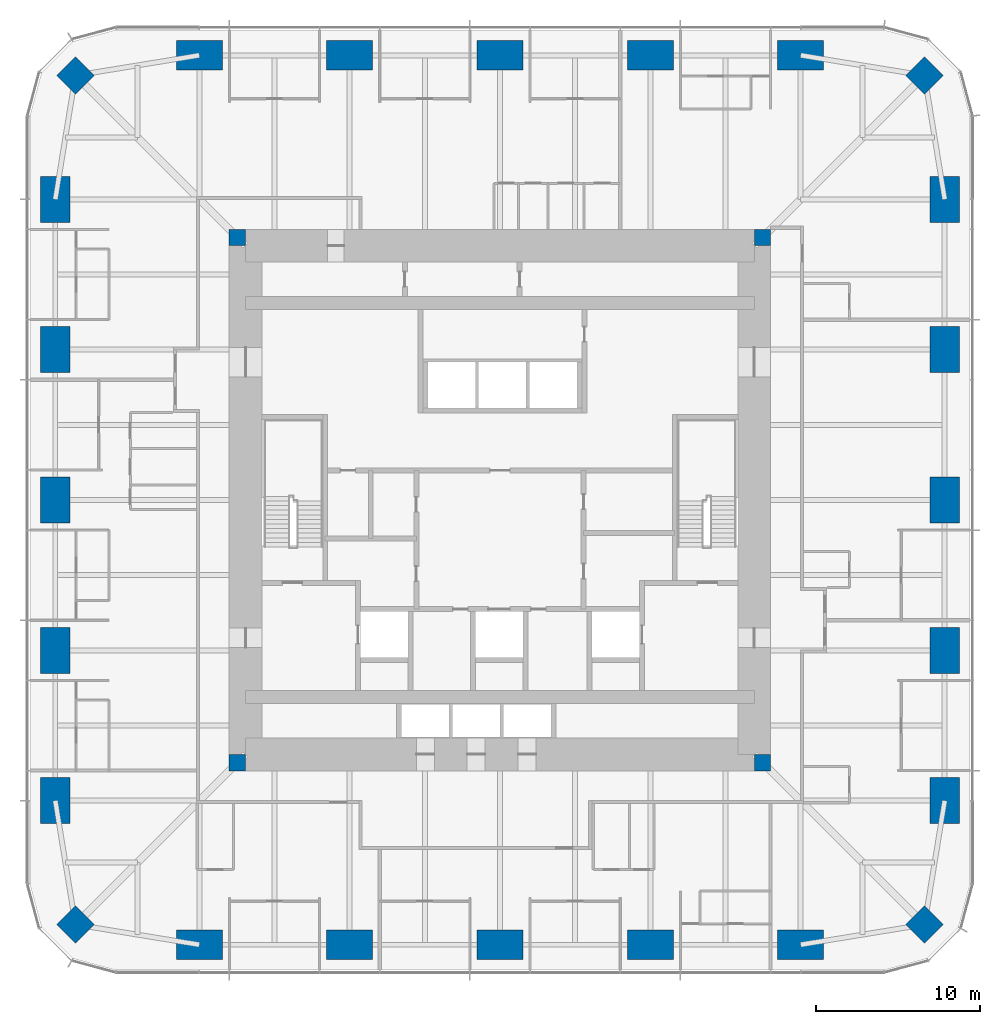
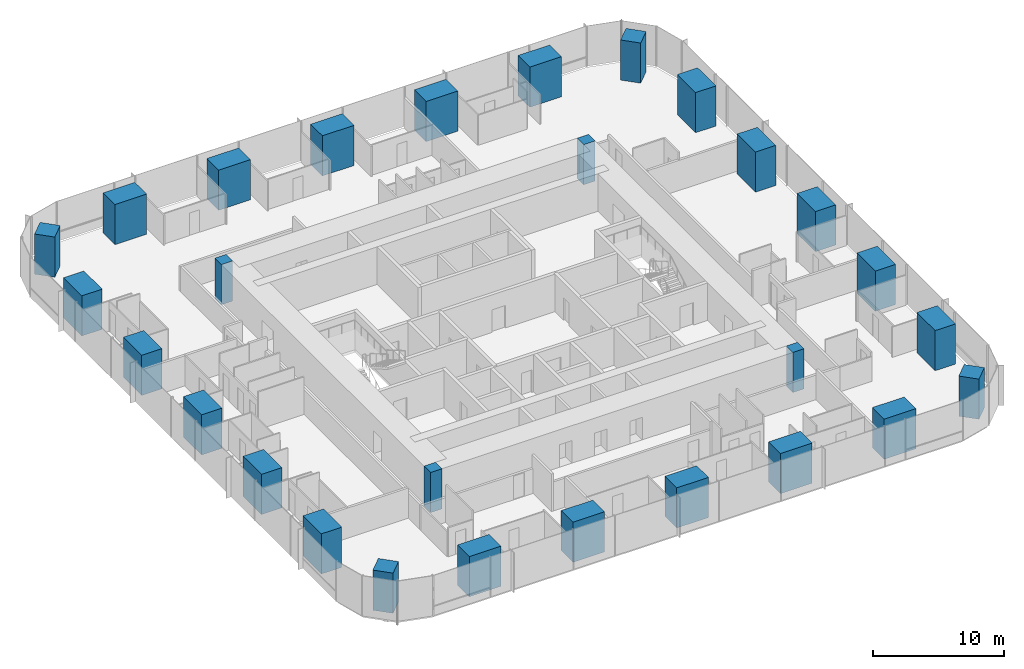
# One storey, part 1 of 13: 28 columns.
"""IFC4 building model written with IfcOpenShell, lengths in metres."""

from ifc_helpers import new_model, si_unit, direction, frame, origin, origin_2d, place, context, subcontext, project, spatial, rectangle, extrude, material, material_profile, profile_set, type_object, element, save


model = new_model("IFC4")

# Units and contexts
model_context = context("Model", 3, precision=1e-05, world=origin(), true_north=direction((0.0, 1.0)))
body_context = subcontext(model_context, "Body", "Model", "MODEL_VIEW")
ifc_project = project(units=[si_unit("LENGTHUNIT", "METRE"), si_unit("AREAUNIT", "SQUARE_METRE"), si_unit("VOLUMEUNIT", "CUBIC_METRE"), si_unit("PLANEANGLEUNIT", "RADIAN"), si_unit("MASSUNIT", "GRAM", prefix="KILO")], contexts=[model_context])

# Site, building, storey
site_placement = place(None, origin())
site = spatial("IfcSite", under=ifc_project, at=site_placement, CompositionType="ELEMENT")
building_placement = place(site_placement, origin())
building = spatial("IfcBuilding", under=site, at=building_placement, Name="Khuree Lantern Residences", CompositionType="ELEMENT")
storey_placement = place(building_placement, frame((0.0, 0.0, 148.5)))
storey = spatial("IfcBuildingStorey", under=building, at=storey_placement, Name="L37", CompositionType="ELEMENT", Elevation=148.5)

# Columns
ifc_material = material(Name="Concrete C70/85", Category="concrete")
ifc_material_profile_1 = material_profile(ifc_material, rectangle(XDim=1.60009765625, YDim=1.60009765625, at=origin_2d()), Name="RC 1600X1600")
ifc_profile_set_1 = profile_set([ifc_material_profile_1], Name="Concrete C70/85")
column_type_1 = type_object("IfcColumnType", Name="CC1600A PERIMETER CORNER COLUMN RC 1600X1600", PredefinedType="COLUMN", material=ifc_profile_set_1)
for number, where, z_axis, x_axis, name in (
    (1, (25.869873046875, 25.869873046875, 0.0), (0.0, 0.0, 1.0), (0.707106781187, -0.707106781187, 0.0), "Perimeter column NE"),
    (2, (25.869873046875, -25.869873046875, 0.0), (0.0, 0.0, 1.0), (0.707106781187, 0.707106781187, 0.0), "Perimeter column SE"),
    (3, (-25.869873046875, -25.869873046875, 0.0), (0.0, 0.0, 1.0), (0.707106781187, -0.707106781187, 0.0), "Perimeter column SW"),
    (4, (-25.869873046875, 25.869873046875, 0.0), (0.0, 0.0, 1.0), (0.707106781187, 0.707106781187, 0.0), "Perimeter column NW"),
):
    element("IfcColumn", number, at=place(storey_placement, frame(where, z_axis=z_axis, x_axis=x_axis)), inside=storey, type_object=column_type_1, Name=name, PredefinedType="COLUMN", context=body_context, shape_type="SweptSolid", body=[
        extrude(rectangle(XDim=1.60009765625, YDim=1.60009765625, at=origin_2d()), origin(), (0.0, 0.0, 1.0), 3.75),
    ])
ifc_material_profile_2 = material_profile(ifc_material, rectangle(XDim=1.0, YDim=1.0, at=origin_2d()), Name="RC 1000X1000")
ifc_profile_set_2 = profile_set([ifc_material_profile_2], Name="Concrete C70/85")
column_type_2 = type_object("IfcColumnType", Name="CP1000-C70 CORE CORNER PIER C70 RC 1000X1000", PredefinedType="COLUMN", material=ifc_profile_set_2)
for number, where, z_axis, x_axis, name in (
    (5, (16.0, 16.0, -0.25), (0.0, 0.0, 1.0), (1.0, 0.0, 0.0), "Core corner pier NE"),
    (6, (-16.0, 16.0, -0.25), (0.0, 0.0, 1.0), (1.0, 0.0, 0.0), "Core corner pier NW"),
    (7, (-16.0, -16.0, -0.25), (0.0, 0.0, 1.0), (1.0, 0.0, 0.0), "Core corner pier SW"),
    (8, (16.0, -16.0, -0.25), (0.0, 0.0, 1.0), (1.0, 0.0, 0.0), "Core corner pier SE"),
):
    element("IfcColumn", number, at=place(storey_placement, frame(where, z_axis=z_axis, x_axis=x_axis)), inside=storey, type_object=column_type_2, Name=name, PredefinedType="COLUMN", context=body_context, shape_type="SweptSolid", body=[
        extrude(rectangle(XDim=1.0, YDim=1.0, at=origin_2d()), origin(), (0.0, 0.0, 1.0), 3.75),
    ])
ifc_material_profile_3 = material_profile(ifc_material, rectangle(XDim=2.800048828125, YDim=1.800048828125, at=origin_2d()), Name="RC 2800X1800")
ifc_profile_set_3 = profile_set([ifc_material_profile_3], Name="Concrete C70/85")
column_type_3 = type_object("IfcColumnType", Name="PC2 PERIMETER COLUMN RC 2800X1800", PredefinedType="COLUMN", material=ifc_profile_set_3)
for number, where, z_axis, x_axis, name in (
    (9, (-18.320068359375, 27.10009765625, 0.0), (0.0, 0.0, 1.0), (1.0, 0.0, 0.0), "Perimeter column N1"),
    (10, (-9.159912109375, 27.10009765625, 0.0), (0.0, 0.0, 1.0), (1.0, 0.0, 0.0), "Perimeter column N2"),
    (11, (0.0, 27.10009765625, 0.0), (0.0, 0.0, 1.0), (1.0, 0.0, 0.0), "Perimeter column N3"),
    (12, (9.159912109375, 27.10009765625, 0.0), (0.0, 0.0, 1.0), (1.0, 0.0, 0.0), "Perimeter column N4"),
    (13, (18.320068359375, 27.10009765625, 0.0), (0.0, 0.0, 1.0), (1.0, 0.0, 0.0), "Perimeter column N5"),
    (14, (27.10009765625, 18.320068359375, 0.0), (0.0, 0.0, 1.0), (0.0, 1.0, 0.0), "Perimeter column E1"),
    (15, (27.10009765625, 9.159912109375, 0.0), (0.0, 0.0, 1.0), (0.0, 1.0, 0.0), "Perimeter column E2"),
    (16, (27.10009765625, 0.0, 0.0), (0.0, 0.0, 1.0), (0.0, 1.0, 0.0), "Perimeter column E3"),
    (17, (27.10009765625, -9.159912109375, 0.0), (0.0, 0.0, 1.0), (0.0, 1.0, 0.0), "Perimeter column E4"),
    (18, (27.10009765625, -18.320068359375, 0.0), (0.0, 0.0, 1.0), (0.0, 1.0, 0.0), "Perimeter column E5"),
    (19, (18.320068359375, -27.10009765625, 0.0), (0.0, 0.0, 1.0), (1.0, 0.0, 0.0), "Perimeter column S1"),
    (20, (9.159912109375, -27.10009765625, 0.0), (0.0, 0.0, 1.0), (1.0, 0.0, 0.0), "Perimeter column S2"),
    (21, (0.0, -27.10009765625, 0.0), (0.0, 0.0, 1.0), (1.0, 0.0, 0.0), "Perimeter column S3"),
    (22, (-9.159912109375, -27.10009765625, 0.0), (0.0, 0.0, 1.0), (1.0, 0.0, 0.0), "Perimeter column S4"),
    (23, (-18.320068359375, -27.10009765625, 0.0), (0.0, 0.0, 1.0), (1.0, 0.0, 0.0), "Perimeter column S5"),
    (24, (-27.10009765625, -18.320068359375, 0.0), (0.0, 0.0, 1.0), (0.0, 1.0, 0.0), "Perimeter column W1"),
    (25, (-27.10009765625, -9.159912109375, 0.0), (0.0, 0.0, 1.0), (0.0, 1.0, 0.0), "Perimeter column W2"),
    (26, (-27.10009765625, 0.0, 0.0), (0.0, 0.0, 1.0), (0.0, 1.0, 0.0), "Perimeter column W3"),
    (27, (-27.10009765625, 9.159912109375, 0.0), (0.0, 0.0, 1.0), (0.0, 1.0, 0.0), "Perimeter column W4"),
    (28, (-27.10009765625, 18.320068359375, 0.0), (0.0, 0.0, 1.0), (0.0, 1.0, 0.0), "Perimeter column W5"),
):
    element("IfcColumn", number, at=place(storey_placement, frame(where, z_axis=z_axis, x_axis=x_axis)), inside=storey, type_object=column_type_3, Name=name, PredefinedType="COLUMN", context=body_context, shape_type="SweptSolid", body=[
        extrude(rectangle(XDim=2.800048828125, YDim=1.800048828125, at=origin_2d()), origin(), (0.0, 0.0, 1.0), 3.75),
    ])

save(model, "model.ifc")
